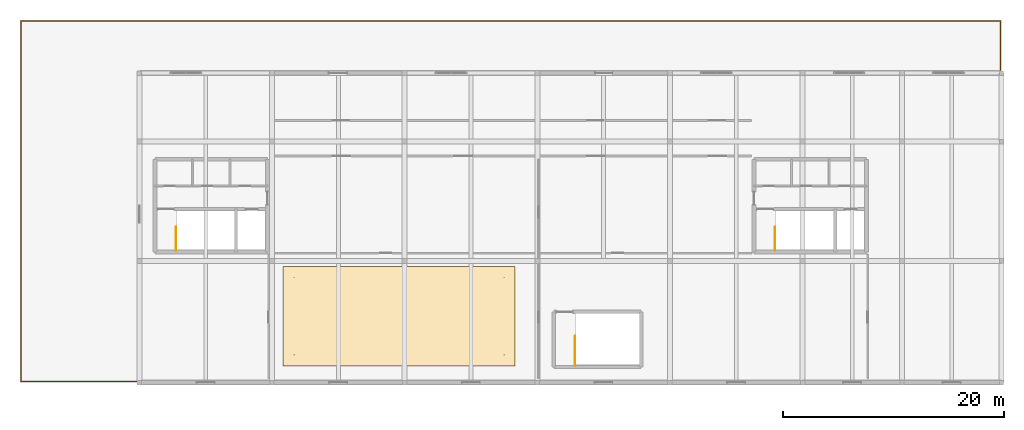
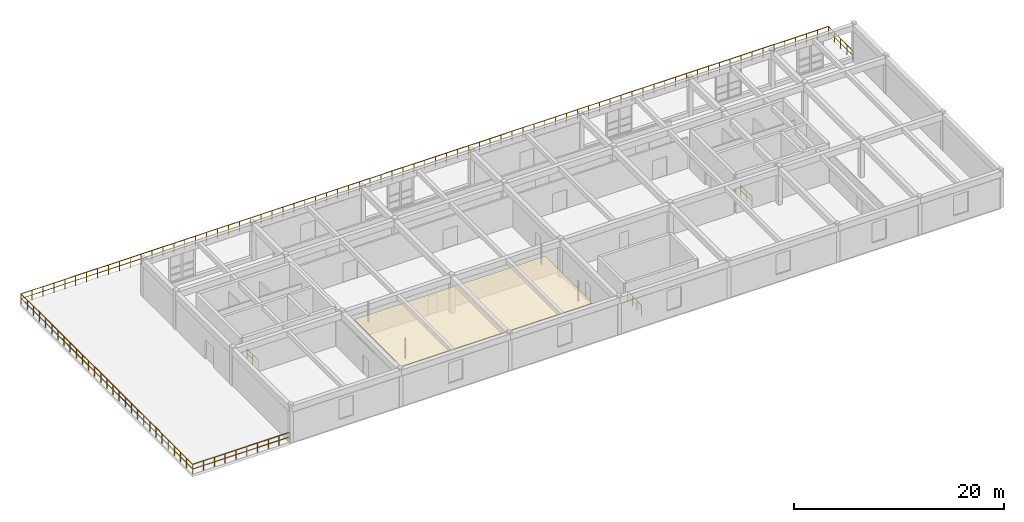
# One storey, part 15 of 15: 4 railings, 1 covering.
"""IFC4 building model written with IfcOpenShell, lengths in metres."""

from ifc_helpers import new_model, si_unit, derived_unit, direction, frame, origin, origin_2d, place, context, subcontext, project, spatial, polyline, circle, outline, extrude, material, layer, layer_set, type_object, element, save


model = new_model("IFC4")

# Units and contexts
model_context = context("Model", 3, precision=1e-05, world=origin(), true_north=direction((0.0, 1.0)))
body_context = subcontext(model_context, "Body", "Model", "MODEL_VIEW")
ifc_project = project(units=[si_unit("LENGTHUNIT", "METRE"), si_unit("AREAUNIT", "SQUARE_METRE"), si_unit("VOLUMEUNIT", "CUBIC_METRE"), si_unit("PLANEANGLEUNIT", "RADIAN"), si_unit("MASSUNIT", "GRAM", prefix="KILO"), derived_unit("THERMALTRANSMITTANCEUNIT", [(si_unit("POWERUNIT", "WATT"), 1), (si_unit("LENGTHUNIT", "METRE"), -2), (si_unit("THERMODYNAMICTEMPERATUREUNIT", "KELVIN"), -1)])], contexts=[model_context])

# Site, building, storey
site_placement = place(None, origin())
site = spatial("IfcSite", under=ifc_project, at=site_placement, CompositionType="ELEMENT")
building_placement = place(site_placement, origin())
building = spatial("IfcBuilding", under=site, at=building_placement, Name="Almenara Railside Exhibition Hall", CompositionType="ELEMENT")
storey_placement = place(building_placement, frame((0.0, 0.0, 16.199951171875)))
storey = spatial("IfcBuildingStorey", under=building, at=storey_placement, Name="L03", CompositionType="ELEMENT", Elevation=16.199951171875)

# Covering
ifc_material_1 = material(Name="Perforated iroko acoustic timber ceiling", Category="wood")
ifc_layer = layer(ifc_material_1, 0.0400390625, Name="Perforated iroko acoustic timber ceiling")
ifc_layer_set = layer_set([ifc_layer], Name="Perforated iroko acoustic timber ceiling")
covering_type = type_object("IfcCoveringType", Name="Acoustic Slatted Timber Ceiling 40mm", PredefinedType="CEILING", material=ifc_layer_set)
covering_placement = place(storey_placement, frame((0.0, 0.0, 3.260009765625)))
element("IfcCovering", 1, at=covering_placement, inside=storey, type_object=covering_type, Name="Acoustic timber ceiling 008", PredefinedType="CEILING", context=body_context, shape_type="SweptSolid", body=[
    extrude(outline(polyline([(139.0, 1.5), (160.0, 1.5), (160.0, 10.5), (139.0, 10.5), (139.0, 1.5)])), origin(), (0.0, 0.0, 1.0), 0.0400390625),
])

# Railings
ifc_material_2 = material(Name="Dark wrought-iron stair balustrade")
railing_type_1 = type_object("IfcRailingType", Name="Stair Well Guard Rail 1120mm", PredefinedType="BALUSTRADE", material=ifc_material_2)
for number, where, name in (
    (2, (129.320068359375, 11.93994140625, 0.0), "SG-L03-0044"),
    (3, (183.52001953125, 11.93994140625, 0.0), "SG-L03-0060"),
):
    element("IfcRailing", number, at=place(storey_placement, frame(where)), inside=storey, type_object=railing_type_1, Name=name, PredefinedType="BALUSTRADE", context=body_context, shape_type="SweptSolid", body=[
        extrude(circle(Radius=0.02392578125, at=origin_2d()), frame((0.0, 0.0, 1.09619140625), z_axis=(0.0, 1.0, 0.0), x_axis=(-1.0, 0.0, 0.0)), (0.0, 0.0, 1.0), 2.130126953125),
        extrude(circle(Radius=0.01416015625, at=origin_2d()), frame((0.0, 0.0, 0.56005859375), z_axis=(0.0, 1.0, 0.0), x_axis=(-1.0, 0.0, 0.0)), (0.0, 0.0, 1.0), 2.130126953125),
        extrude(circle(Radius=0.02099609375, at=origin_2d()), origin(), (0.0, 0.0, 1.0), 1.072021484375),
        extrude(circle(Radius=0.02099609375, at=origin_2d()), frame((0.0, 1.06494140625, 0.0)), (0.0, 0.0, 1.0), 1.072021484375),
        extrude(circle(Radius=0.02099609375, at=origin_2d()), frame((0.0, 2.130126953125, 0.0)), (0.0, 0.0, 1.0), 1.072021484375),
    ])
railing_1_placement = place(storey_placement, frame((165.419921875, 1.5400390625, 0.0)))
element("IfcRailing", 4, at=railing_1_placement, inside=storey, type_object=railing_type_1, Name="SG-L03-0124", PredefinedType="BALUSTRADE", context=body_context, shape_type="SweptSolid", body=[
    extrude(circle(Radius=0.02392578125, at=origin_2d()), frame((0.0, 0.0, 1.09619140625), z_axis=(0.0, 1.0, 0.0), x_axis=(-1.0, 0.0, 0.0)), (0.0, 0.0, 1.0), 2.64990234375),
    extrude(circle(Radius=0.01416015625, at=origin_2d()), frame((0.0, 0.0, 0.56005859375), z_axis=(0.0, 1.0, 0.0), x_axis=(-1.0, 0.0, 0.0)), (0.0, 0.0, 1.0), 2.64990234375),
    extrude(circle(Radius=0.02099609375, at=origin_2d()), origin(), (0.0, 0.0, 1.0), 1.072021484375),
    extrude(circle(Radius=0.02099609375, at=origin_2d()), frame((0.0, 0.88330078125, 0.0)), (0.0, 0.0, 1.0), 1.072021484375),
    extrude(circle(Radius=0.02099609375, at=origin_2d()), frame((0.0, 1.7666015625, 0.0)), (0.0, 0.0, 1.0), 1.072021484375),
    extrude(circle(Radius=0.02099609375, at=origin_2d()), frame((0.0, 2.64990234375, 0.0)), (0.0, 0.0, 1.0), 1.072021484375),
])
ifc_material_3 = material(Name="Dark wrought-iron architectural balustrade")
railing_type_2 = type_object("IfcRailingType", Name="Wrought-Iron Rejas Terrace Balustrade 1120mm", PredefinedType="BALUSTRADE", material=ifc_material_3)
railing_2_placement = place(storey_placement, frame((125.949951171875, 0.080078125, 0.0)))
element("IfcRailing", 5, at=railing_2_placement, inside=storey, type_object=railing_type_2, Name="Guard balustrade 0003", PredefinedType="BALUSTRADE", context=body_context, shape_type="SweptSolid", body=[
    extrude(circle(Radius=0.02392578125, at=origin_2d()), frame((0.0, 0.0, 1.09619140625), z_axis=(-1.0, 0.0, 0.0), x_axis=(0.0, -1.0, 0.0)), (0.0, 0.0, 1.0), 10.669921875),
    extrude(circle(Radius=0.01416015625, at=origin_2d()), frame((0.0, 0.0, 0.56005859375), z_axis=(-1.0, 0.0, 0.0), x_axis=(0.0, -1.0, 0.0)), (0.0, 0.0, 1.0), 10.669921875),
    extrude(circle(Radius=0.02392578125, at=origin_2d()), frame((-10.669921875, 0.0, 1.09619140625), z_axis=(0.0, 1.0, 0.0), x_axis=(-1.0, 0.0, 0.0)), (0.0, 0.0, 1.0), 32.639892578125),
    extrude(circle(Radius=0.01416015625, at=origin_2d()), frame((-10.669921875, 0.0, 0.56005859375), z_axis=(0.0, 1.0, 0.0), x_axis=(-1.0, 0.0, 0.0)), (0.0, 0.0, 1.0), 32.639892578125),
    extrude(circle(Radius=0.02392578125, at=origin_2d()), frame((-10.669921875, 32.639892578125, 1.09619140625), z_axis=(1.0, 0.0, 0.0), x_axis=(0.0, 1.0, 0.0)), (0.0, 0.0, 1.0), 88.639892578125),
    extrude(circle(Radius=0.01416015625, at=origin_2d()), frame((-10.669921875, 32.639892578125, 0.56005859375), z_axis=(1.0, 0.0, 0.0), x_axis=(0.0, 1.0, 0.0)), (0.0, 0.0, 1.0), 88.639892578125),
    extrude(circle(Radius=0.02392578125, at=origin_2d()), frame((77.969970703125, 32.639892578125, 1.09619140625), z_axis=(0.0, -1.0, 0.0), x_axis=(1.0, 0.0, 0.0)), (0.0, 0.0, 1.0), 4.669921875),
    extrude(circle(Radius=0.01416015625, at=origin_2d()), frame((77.969970703125, 32.639892578125, 0.56005859375), z_axis=(0.0, -1.0, 0.0), x_axis=(1.0, 0.0, 0.0)), (0.0, 0.0, 1.0), 4.669921875),
    extrude(circle(Radius=0.02099609375, at=origin_2d()), origin(), (0.0, 0.0, 1.0), 1.072021484375),
    extrude(circle(Radius=0.02099609375, at=origin_2d()), frame((-1.185546875, 0.0, 0.0)), (0.0, 0.0, 1.0), 1.072021484375),
    extrude(circle(Radius=0.02099609375, at=origin_2d()), frame((-2.37109375, 0.0, 0.0)), (0.0, 0.0, 1.0), 1.072021484375),
    extrude(circle(Radius=0.02099609375, at=origin_2d()), frame((-3.556640625, 0.0, 0.0)), (0.0, 0.0, 1.0), 1.072021484375),
    extrude(circle(Radius=0.02099609375, at=origin_2d()), frame((-4.7421875, 0.0, 0.0)), (0.0, 0.0, 1.0), 1.072021484375),
    extrude(circle(Radius=0.02099609375, at=origin_2d()), frame((-5.927734375, 0.0, 0.0)), (0.0, 0.0, 1.0), 1.072021484375),
    extrude(circle(Radius=0.02099609375, at=origin_2d()), frame((-7.11328125, 0.0, 0.0)), (0.0, 0.0, 1.0), 1.072021484375),
    extrude(circle(Radius=0.02099609375, at=origin_2d()), frame((-8.298828125, 0.0, 0.0)), (0.0, 0.0, 1.0), 1.072021484375),
    extrude(circle(Radius=0.02099609375, at=origin_2d()), frame((-9.484375, 0.0, 0.0)), (0.0, 0.0, 1.0), 1.072021484375),
    extrude(circle(Radius=0.02099609375, at=origin_2d()), frame((-10.669921875, 0.0, 0.0)), (0.0, 0.0, 1.0), 1.072021484375),
    extrude(circle(Radius=0.02099609375, at=origin_2d()), frame((-10.669921875, 1.165771484375, 0.0)), (0.0, 0.0, 1.0), 1.072021484375),
    extrude(circle(Radius=0.02099609375, at=origin_2d()), frame((-10.669921875, 2.33154296875, 0.0)), (0.0, 0.0, 1.0), 1.072021484375),
    extrude(circle(Radius=0.02099609375, at=origin_2d()), frame((-10.669921875, 3.4970703125, 0.0)), (0.0, 0.0, 1.0), 1.072021484375),
    extrude(circle(Radius=0.02099609375, at=origin_2d()), frame((-10.669921875, 4.662841796875, 0.0)), (0.0, 0.0, 1.0), 1.072021484375),
    extrude(circle(Radius=0.02099609375, at=origin_2d()), frame((-10.669921875, 5.82861328125, 0.0)), (0.0, 0.0, 1.0), 1.072021484375),
    extrude(circle(Radius=0.02099609375, at=origin_2d()), frame((-10.669921875, 6.994140625, 0.0)), (0.0, 0.0, 1.0), 1.072021484375),
    extrude(circle(Radius=0.02099609375, at=origin_2d()), frame((-10.669921875, 8.159912109375, 0.0)), (0.0, 0.0, 1.0), 1.072021484375),
    extrude(circle(Radius=0.02099609375, at=origin_2d()), frame((-10.669921875, 9.32568359375, 0.0)), (0.0, 0.0, 1.0), 1.072021484375),
    extrude(circle(Radius=0.02099609375, at=origin_2d()), frame((-10.669921875, 10.491455078125, 0.0)), (0.0, 0.0, 1.0), 1.072021484375),
    extrude(circle(Radius=0.02099609375, at=origin_2d()), frame((-10.669921875, 11.6572265625, 0.0)), (0.0, 0.0, 1.0), 1.072021484375),
    extrude(circle(Radius=0.02099609375, at=origin_2d()), frame((-10.669921875, 12.82275390625, 0.0)), (0.0, 0.0, 1.0), 1.072021484375),
    extrude(circle(Radius=0.02099609375, at=origin_2d()), frame((-10.669921875, 13.988525390625, 0.0)), (0.0, 0.0, 1.0), 1.072021484375),
    extrude(circle(Radius=0.02099609375, at=origin_2d()), frame((-10.669921875, 15.154296875, 0.0)), (0.0, 0.0, 1.0), 1.072021484375),
    extrude(circle(Radius=0.02099609375, at=origin_2d()), frame((-10.669921875, 16.31982421875, 0.0)), (0.0, 0.0, 1.0), 1.072021484375),
    extrude(circle(Radius=0.02099609375, at=origin_2d()), frame((-10.669921875, 17.485595703125, 0.0)), (0.0, 0.0, 1.0), 1.072021484375),
    extrude(circle(Radius=0.02099609375, at=origin_2d()), frame((-10.669921875, 18.6513671875, 0.0)), (0.0, 0.0, 1.0), 1.072021484375),
    extrude(circle(Radius=0.02099609375, at=origin_2d()), frame((-10.669921875, 19.817138671875, 0.0)), (0.0, 0.0, 1.0), 1.072021484375),
    extrude(circle(Radius=0.02099609375, at=origin_2d()), frame((-10.669921875, 20.98291015625, 0.0)), (0.0, 0.0, 1.0), 1.072021484375),
    extrude(circle(Radius=0.02099609375, at=origin_2d()), frame((-10.669921875, 22.1484375, 0.0)), (0.0, 0.0, 1.0), 1.072021484375),
    extrude(circle(Radius=0.02099609375, at=origin_2d()), frame((-10.669921875, 23.314208984375, 0.0)), (0.0, 0.0, 1.0), 1.072021484375),
    extrude(circle(Radius=0.02099609375, at=origin_2d()), frame((-10.669921875, 24.47998046875, 0.0)), (0.0, 0.0, 1.0), 1.072021484375),
    extrude(circle(Radius=0.02099609375, at=origin_2d()), frame((-10.669921875, 25.6455078125, 0.0)), (0.0, 0.0, 1.0), 1.072021484375),
    extrude(circle(Radius=0.02099609375, at=origin_2d()), frame((-10.669921875, 26.811279296875, 0.0)), (0.0, 0.0, 1.0), 1.072021484375),
    extrude(circle(Radius=0.02099609375, at=origin_2d()), frame((-10.669921875, 27.97705078125, 0.0)), (0.0, 0.0, 1.0), 1.072021484375),
    extrude(circle(Radius=0.02099609375, at=origin_2d()), frame((-10.669921875, 29.142822265625, 0.0)), (0.0, 0.0, 1.0), 1.072021484375),
    extrude(circle(Radius=0.02099609375, at=origin_2d()), frame((-10.669921875, 30.30859375, 0.0)), (0.0, 0.0, 1.0), 1.072021484375),
    extrude(circle(Radius=0.02099609375, at=origin_2d()), frame((-10.669921875, 31.47412109375, 0.0)), (0.0, 0.0, 1.0), 1.072021484375),
    extrude(circle(Radius=0.02099609375, at=origin_2d()), frame((-10.669921875, 32.639892578125, 0.0)), (0.0, 0.0, 1.0), 1.072021484375),
    extrude(circle(Radius=0.02099609375, at=origin_2d()), frame((-9.47216796875, 32.639892578125, 0.0)), (0.0, 0.0, 1.0), 1.072021484375),
    extrude(circle(Radius=0.02099609375, at=origin_2d()), frame((-8.274169921875, 32.639892578125, 0.0)), (0.0, 0.0, 1.0), 1.072021484375),
    extrude(circle(Radius=0.02099609375, at=origin_2d()), frame((-7.076416015625, 32.639892578125, 0.0)), (0.0, 0.0, 1.0), 1.072021484375),
    extrude(circle(Radius=0.02099609375, at=origin_2d()), frame((-5.878662109375, 32.639892578125, 0.0)), (0.0, 0.0, 1.0), 1.072021484375),
    extrude(circle(Radius=0.02099609375, at=origin_2d()), frame((-4.6806640625, 32.639892578125, 0.0)), (0.0, 0.0, 1.0), 1.072021484375),
    extrude(circle(Radius=0.02099609375, at=origin_2d()), frame((-3.48291015625, 32.639892578125, 0.0)), (0.0, 0.0, 1.0), 1.072021484375),
    extrude(circle(Radius=0.02099609375, at=origin_2d()), frame((-2.28515625, 32.639892578125, 0.0)), (0.0, 0.0, 1.0), 1.072021484375),
    extrude(circle(Radius=0.02099609375, at=origin_2d()), frame((-1.087158203125, 32.639892578125, 0.0)), (0.0, 0.0, 1.0), 1.072021484375),
    extrude(circle(Radius=0.02099609375, at=origin_2d()), frame((0.110595703125, 32.639892578125, 0.0)), (0.0, 0.0, 1.0), 1.072021484375),
    extrude(circle(Radius=0.02099609375, at=origin_2d()), frame((1.308349609375, 32.639892578125, 0.0)), (0.0, 0.0, 1.0), 1.072021484375),
    extrude(circle(Radius=0.02099609375, at=origin_2d()), frame((2.50634765625, 32.639892578125, 0.0)), (0.0, 0.0, 1.0), 1.072021484375),
    extrude(circle(Radius=0.02099609375, at=origin_2d()), frame((3.7041015625, 32.639892578125, 0.0)), (0.0, 0.0, 1.0), 1.072021484375),
    extrude(circle(Radius=0.02099609375, at=origin_2d()), frame((4.90185546875, 32.639892578125, 0.0)), (0.0, 0.0, 1.0), 1.072021484375),
    extrude(circle(Radius=0.02099609375, at=origin_2d()), frame((6.099853515625, 32.639892578125, 0.0)), (0.0, 0.0, 1.0), 1.072021484375),
    extrude(circle(Radius=0.02099609375, at=origin_2d()), frame((7.297607421875, 32.639892578125, 0.0)), (0.0, 0.0, 1.0), 1.072021484375),
    extrude(circle(Radius=0.02099609375, at=origin_2d()), frame((8.495361328125, 32.639892578125, 0.0)), (0.0, 0.0, 1.0), 1.072021484375),
    extrude(circle(Radius=0.02099609375, at=origin_2d()), frame((9.693359375, 32.639892578125, 0.0)), (0.0, 0.0, 1.0), 1.072021484375),
    extrude(circle(Radius=0.02099609375, at=origin_2d()), frame((10.89111328125, 32.639892578125, 0.0)), (0.0, 0.0, 1.0), 1.072021484375),
    extrude(circle(Radius=0.02099609375, at=origin_2d()), frame((12.0888671875, 32.639892578125, 0.0)), (0.0, 0.0, 1.0), 1.072021484375),
    extrude(circle(Radius=0.02099609375, at=origin_2d()), frame((13.286865234375, 32.639892578125, 0.0)), (0.0, 0.0, 1.0), 1.072021484375),
    extrude(circle(Radius=0.02099609375, at=origin_2d()), frame((14.484619140625, 32.639892578125, 0.0)), (0.0, 0.0, 1.0), 1.072021484375),
    extrude(circle(Radius=0.02099609375, at=origin_2d()), frame((15.682373046875, 32.639892578125, 0.0)), (0.0, 0.0, 1.0), 1.072021484375),
    extrude(circle(Radius=0.02099609375, at=origin_2d()), frame((16.88037109375, 32.639892578125, 0.0)), (0.0, 0.0, 1.0), 1.072021484375),
    extrude(circle(Radius=0.02099609375, at=origin_2d()), frame((18.078125, 32.639892578125, 0.0)), (0.0, 0.0, 1.0), 1.072021484375),
    extrude(circle(Radius=0.02099609375, at=origin_2d()), frame((19.27587890625, 32.639892578125, 0.0)), (0.0, 0.0, 1.0), 1.072021484375),
    extrude(circle(Radius=0.02099609375, at=origin_2d()), frame((20.473876953125, 32.639892578125, 0.0)), (0.0, 0.0, 1.0), 1.072021484375),
    extrude(circle(Radius=0.02099609375, at=origin_2d()), frame((21.671630859375, 32.639892578125, 0.0)), (0.0, 0.0, 1.0), 1.072021484375),
    extrude(circle(Radius=0.02099609375, at=origin_2d()), frame((22.869384765625, 32.639892578125, 0.0)), (0.0, 0.0, 1.0), 1.072021484375),
    extrude(circle(Radius=0.02099609375, at=origin_2d()), frame((24.0673828125, 32.639892578125, 0.0)), (0.0, 0.0, 1.0), 1.072021484375),
    extrude(circle(Radius=0.02099609375, at=origin_2d()), frame((25.26513671875, 32.639892578125, 0.0)), (0.0, 0.0, 1.0), 1.072021484375),
    extrude(circle(Radius=0.02099609375, at=origin_2d()), frame((26.462890625, 32.639892578125, 0.0)), (0.0, 0.0, 1.0), 1.072021484375),
    extrude(circle(Radius=0.02099609375, at=origin_2d()), frame((27.660888671875, 32.639892578125, 0.0)), (0.0, 0.0, 1.0), 1.072021484375),
    extrude(circle(Radius=0.02099609375, at=origin_2d()), frame((28.858642578125, 32.639892578125, 0.0)), (0.0, 0.0, 1.0), 1.072021484375),
    extrude(circle(Radius=0.02099609375, at=origin_2d()), frame((30.056396484375, 32.639892578125, 0.0)), (0.0, 0.0, 1.0), 1.072021484375),
    extrude(circle(Radius=0.02099609375, at=origin_2d()), frame((31.25439453125, 32.639892578125, 0.0)), (0.0, 0.0, 1.0), 1.072021484375),
    extrude(circle(Radius=0.02099609375, at=origin_2d()), frame((32.4521484375, 32.639892578125, 0.0)), (0.0, 0.0, 1.0), 1.072021484375),
    extrude(circle(Radius=0.02099609375, at=origin_2d()), frame((33.64990234375, 32.639892578125, 0.0)), (0.0, 0.0, 1.0), 1.072021484375),
    extrude(circle(Radius=0.02099609375, at=origin_2d()), frame((34.847900390625, 32.639892578125, 0.0)), (0.0, 0.0, 1.0), 1.072021484375),
    extrude(circle(Radius=0.02099609375, at=origin_2d()), frame((36.045654296875, 32.639892578125, 0.0)), (0.0, 0.0, 1.0), 1.072021484375),
    extrude(circle(Radius=0.02099609375, at=origin_2d()), frame((37.24365234375, 32.639892578125, 0.0)), (0.0, 0.0, 1.0), 1.072021484375),
    extrude(circle(Radius=0.02099609375, at=origin_2d()), frame((38.44140625, 32.639892578125, 0.0)), (0.0, 0.0, 1.0), 1.072021484375),
    extrude(circle(Radius=0.02099609375, at=origin_2d()), frame((39.63916015625, 32.639892578125, 0.0)), (0.0, 0.0, 1.0), 1.072021484375),
    extrude(circle(Radius=0.02099609375, at=origin_2d()), frame((40.837158203125, 32.639892578125, 0.0)), (0.0, 0.0, 1.0), 1.072021484375),
    extrude(circle(Radius=0.02099609375, at=origin_2d()), frame((42.034912109375, 32.639892578125, 0.0)), (0.0, 0.0, 1.0), 1.072021484375),
    extrude(circle(Radius=0.02099609375, at=origin_2d()), frame((43.232666015625, 32.639892578125, 0.0)), (0.0, 0.0, 1.0), 1.072021484375),
    extrude(circle(Radius=0.02099609375, at=origin_2d()), frame((44.4306640625, 32.639892578125, 0.0)), (0.0, 0.0, 1.0), 1.072021484375),
    extrude(circle(Radius=0.02099609375, at=origin_2d()), frame((45.62841796875, 32.639892578125, 0.0)), (0.0, 0.0, 1.0), 1.072021484375),
    extrude(circle(Radius=0.02099609375, at=origin_2d()), frame((46.826171875, 32.639892578125, 0.0)), (0.0, 0.0, 1.0), 1.072021484375),
    extrude(circle(Radius=0.02099609375, at=origin_2d()), frame((48.024169921875, 32.639892578125, 0.0)), (0.0, 0.0, 1.0), 1.072021484375),
    extrude(circle(Radius=0.02099609375, at=origin_2d()), frame((49.221923828125, 32.639892578125, 0.0)), (0.0, 0.0, 1.0), 1.072021484375),
    extrude(circle(Radius=0.02099609375, at=origin_2d()), frame((50.419677734375, 32.639892578125, 0.0)), (0.0, 0.0, 1.0), 1.072021484375),
    extrude(circle(Radius=0.02099609375, at=origin_2d()), frame((51.61767578125, 32.639892578125, 0.0)), (0.0, 0.0, 1.0), 1.072021484375),
    extrude(circle(Radius=0.02099609375, at=origin_2d()), frame((52.8154296875, 32.639892578125, 0.0)), (0.0, 0.0, 1.0), 1.072021484375),
    extrude(circle(Radius=0.02099609375, at=origin_2d()), frame((54.01318359375, 32.639892578125, 0.0)), (0.0, 0.0, 1.0), 1.072021484375),
    extrude(circle(Radius=0.02099609375, at=origin_2d()), frame((55.211181640625, 32.639892578125, 0.0)), (0.0, 0.0, 1.0), 1.072021484375),
    extrude(circle(Radius=0.02099609375, at=origin_2d()), frame((56.408935546875, 32.639892578125, 0.0)), (0.0, 0.0, 1.0), 1.072021484375),
    extrude(circle(Radius=0.02099609375, at=origin_2d()), frame((57.606689453125, 32.639892578125, 0.0)), (0.0, 0.0, 1.0), 1.072021484375),
    extrude(circle(Radius=0.02099609375, at=origin_2d()), frame((58.8046875, 32.639892578125, 0.0)), (0.0, 0.0, 1.0), 1.072021484375),
    extrude(circle(Radius=0.02099609375, at=origin_2d()), frame((60.00244140625, 32.639892578125, 0.0)), (0.0, 0.0, 1.0), 1.072021484375),
    extrude(circle(Radius=0.02099609375, at=origin_2d()), frame((61.2001953125, 32.639892578125, 0.0)), (0.0, 0.0, 1.0), 1.072021484375),
    extrude(circle(Radius=0.02099609375, at=origin_2d()), frame((62.398193359375, 32.639892578125, 0.0)), (0.0, 0.0, 1.0), 1.072021484375),
    extrude(circle(Radius=0.02099609375, at=origin_2d()), frame((63.595947265625, 32.639892578125, 0.0)), (0.0, 0.0, 1.0), 1.072021484375),
    extrude(circle(Radius=0.02099609375, at=origin_2d()), frame((64.793701171875, 32.639892578125, 0.0)), (0.0, 0.0, 1.0), 1.072021484375),
    extrude(circle(Radius=0.02099609375, at=origin_2d()), frame((65.99169921875, 32.639892578125, 0.0)), (0.0, 0.0, 1.0), 1.072021484375),
    extrude(circle(Radius=0.02099609375, at=origin_2d()), frame((67.189453125, 32.639892578125, 0.0)), (0.0, 0.0, 1.0), 1.072021484375),
    extrude(circle(Radius=0.02099609375, at=origin_2d()), frame((68.38720703125, 32.639892578125, 0.0)), (0.0, 0.0, 1.0), 1.072021484375),
    extrude(circle(Radius=0.02099609375, at=origin_2d()), frame((69.585205078125, 32.639892578125, 0.0)), (0.0, 0.0, 1.0), 1.072021484375),
    extrude(circle(Radius=0.02099609375, at=origin_2d()), frame((70.782958984375, 32.639892578125, 0.0)), (0.0, 0.0, 1.0), 1.072021484375),
    extrude(circle(Radius=0.02099609375, at=origin_2d()), frame((71.980712890625, 32.639892578125, 0.0)), (0.0, 0.0, 1.0), 1.072021484375),
    extrude(circle(Radius=0.02099609375, at=origin_2d()), frame((73.1787109375, 32.639892578125, 0.0)), (0.0, 0.0, 1.0), 1.072021484375),
    extrude(circle(Radius=0.02099609375, at=origin_2d()), frame((74.37646484375, 32.639892578125, 0.0)), (0.0, 0.0, 1.0), 1.072021484375),
    extrude(circle(Radius=0.02099609375, at=origin_2d()), frame((75.57421875, 32.639892578125, 0.0)), (0.0, 0.0, 1.0), 1.072021484375),
    extrude(circle(Radius=0.02099609375, at=origin_2d()), frame((76.772216796875, 32.639892578125, 0.0)), (0.0, 0.0, 1.0), 1.072021484375),
    extrude(circle(Radius=0.02099609375, at=origin_2d()), frame((77.969970703125, 32.639892578125, 0.0)), (0.0, 0.0, 1.0), 1.072021484375),
    extrude(circle(Radius=0.02099609375, at=origin_2d()), frame((77.969970703125, 31.472412109375, 0.0)), (0.0, 0.0, 1.0), 1.072021484375),
    extrude(circle(Radius=0.02099609375, at=origin_2d()), frame((77.969970703125, 30.304931640625, 0.0)), (0.0, 0.0, 1.0), 1.072021484375),
    extrude(circle(Radius=0.02099609375, at=origin_2d()), frame((77.969970703125, 29.137451171875, 0.0)), (0.0, 0.0, 1.0), 1.072021484375),
    extrude(circle(Radius=0.02099609375, at=origin_2d()), frame((77.969970703125, 27.969970703125, 0.0)), (0.0, 0.0, 1.0), 1.072021484375),
])

save(model, "model.ifc")
